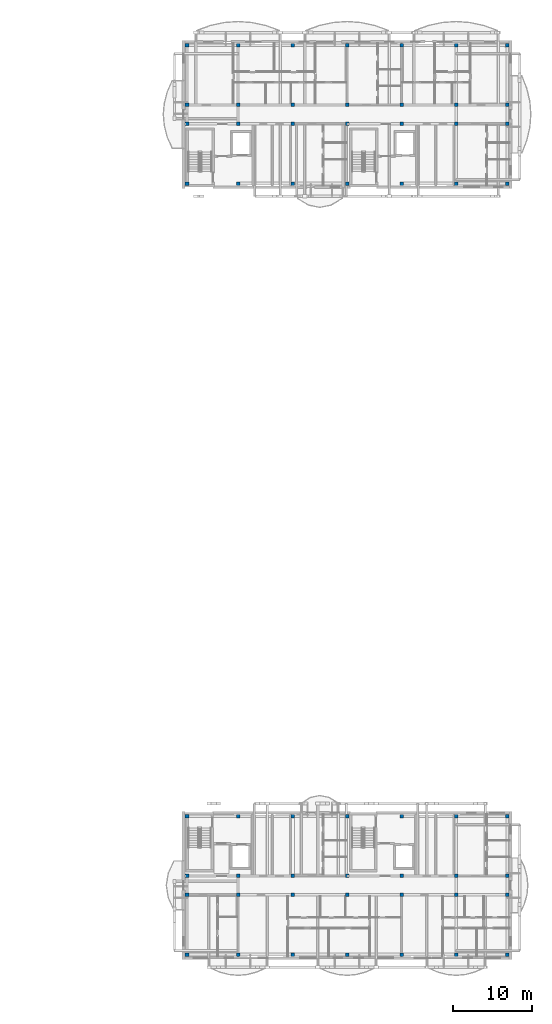
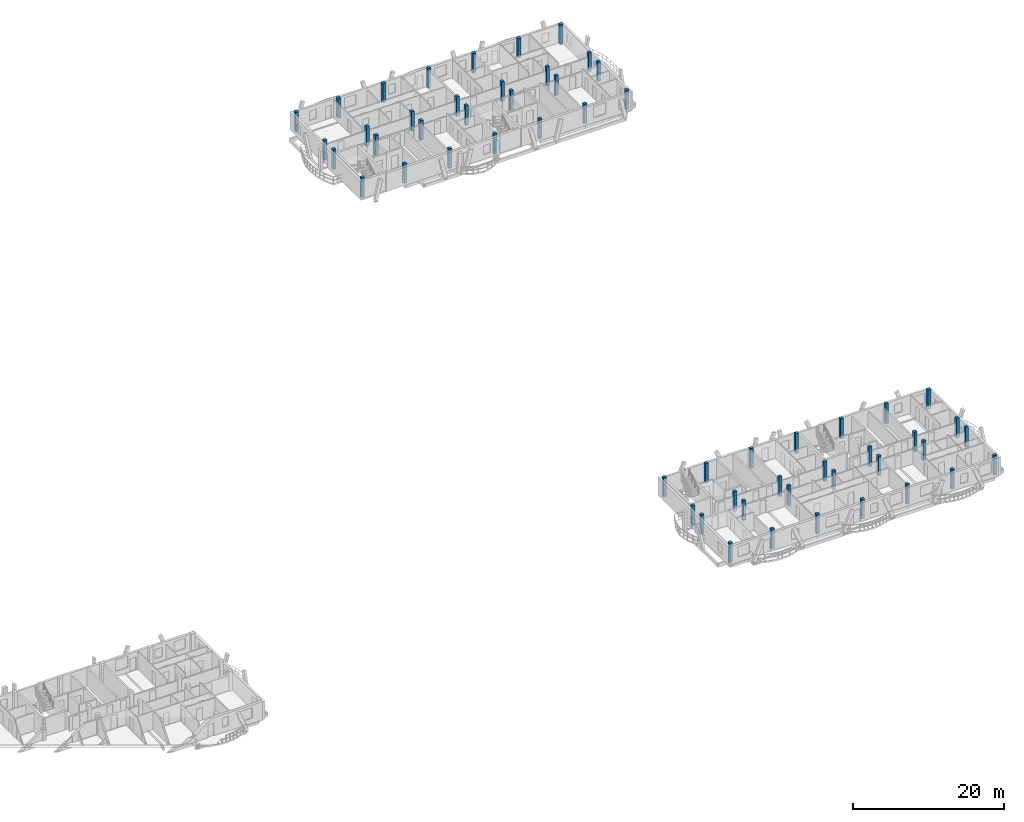
# One storey, part 2 of 42: 56 columns.
"""IFC4 building model written with IfcOpenShell, lengths in metres."""

import ifcopenshell
import ifcopenshell.guid

model = None  # the IFC model being written
_history = None  # IfcOwnerHistory: only IFC2X3 demands one
_inside = {}  # id of a spatial element -> (the spatial element, [elements in it])
_under = {}  # id of a project, library or spatial element -> (it, [spatial elements below it])
_declared = {}  # id of a project -> (the project, [libraries it declares])
_typed = {}  # id of a type object -> (the type object, [elements of that type])
_made_of = {}  # id of a material, layer set ... -> (it, [elements and type objects made of it])


def new_model(schema):
    """Start an empty IFC model of exactly this schema.

    Asked for "IFC4X3", IfcOpenShell would pick the latest addendum, in which some entities
    have other attributes; the version numbers below select the first issue.
    IFC2X3 requires an IfcOwnerHistory on every rooted entity: one is made here for all.
    """
    global model, _history
    if schema == "IFC4X3":
        model = ifcopenshell.file(schema_version=(4, 3, 0, 0))
    else:
        model = ifcopenshell.file(schema=schema)
    _inside.clear()
    _under.clear()
    _declared.clear()
    _typed.clear()
    _made_of.clear()
    _history = None
    if model.schema == "IFC2X3":
        org = make("IfcOrganization", Name="unknown")
        user = make(
            "IfcPersonAndOrganization",
            ThePerson=make("IfcPerson", FamilyName="unknown"),
            TheOrganization=org,
        )
        app = make(
            "IfcApplication",
            ApplicationDeveloper=org,
            Version="unknown",
            ApplicationFullName="unknown",
            ApplicationIdentifier="unknown",
        )
        _history = make(
            "IfcOwnerHistory",
            OwningUser=user,
            OwningApplication=app,
            ChangeAction="ADDED",
            CreationDate=0,
        )
    return model


def make(cls, **values):
    """One entity of the class cls with the attributes given. An attribute that is None is left unset."""
    return model.create_entity(
        cls, **{name: value for name, value in values.items() if value is not None}
    )


def rooted(cls, **values):
    """An entity with a GlobalId (a new one), such as an element, a storey or a relation."""
    return make(cls, GlobalId=ifcopenshell.guid.new(), OwnerHistory=_history, **values)


def si_unit(unit_type, name, prefix=None):
    """IfcSIUnit, for example si_unit("LENGTHUNIT", "METRE", prefix="MILLI")."""
    return make("IfcSIUnit", UnitType=unit_type, Prefix=prefix, Name=name)


def assignment(units):
    """IfcUnitAssignment: the units of a project."""
    return None if units is None else make("IfcUnitAssignment", Units=units)


def point(xyz):
    """IfcCartesianPoint."""
    return None if xyz is None else make("IfcCartesianPoint", Coordinates=xyz)


def direction(xyz):
    """IfcDirection."""
    return None if xyz is None else make("IfcDirection", DirectionRatios=xyz)


def frame(location, z_axis=None, x_axis=None):
    """IfcAxis2Placement3D, a coordinate frame: its origin and axes. An axis left out is left unset."""
    return make(
        "IfcAxis2Placement3D",
        Location=point(location),
        Axis=direction(z_axis),
        RefDirection=direction(x_axis),
    )


def frame_2d(location, x_axis=None):
    """IfcAxis2Placement2D, a coordinate frame in the plane: its origin and x axis."""
    return make(
        "IfcAxis2Placement2D", Location=point(location), RefDirection=direction(x_axis)
    )


def origin():
    """The frame at (0, 0, 0) with its axes left unset."""
    return frame((0.0, 0.0, 0.0))


def origin_2d():
    """The frame at (0, 0) in the plane with its x axis left unset."""
    return frame_2d((0.0, 0.0))


def place(relative_to, where):
    """IfcLocalPlacement: puts the frame where relative to a parent placement (None: the world)."""
    return make(
        "IfcLocalPlacement", PlacementRelTo=relative_to, RelativePlacement=where
    )


def context(
    kind, dimensions, precision=None, world=None, true_north=None, identifier=None
):
    """IfcGeometricRepresentationContext, for example the 3D "Model" context."""
    return make(
        "IfcGeometricRepresentationContext",
        ContextIdentifier=identifier,
        ContextType=kind,
        CoordinateSpaceDimension=dimensions,
        Precision=precision,
        WorldCoordinateSystem=world,
        TrueNorth=true_north,
    )


def subcontext(parent, identifier, kind, view, scale=None):
    """IfcGeometricRepresentationSubContext, for example "Body" below "Model"."""
    return make(
        "IfcGeometricRepresentationSubContext",
        ContextIdentifier=identifier,
        ContextType=kind,
        ParentContext=parent,
        TargetScale=scale,
        TargetView=view,
    )


def project(units=None, contexts=None):
    """IfcProject with its units and contexts."""
    return rooted(
        "IfcProject",
        Name="project",
        RepresentationContexts=contexts,
        UnitsInContext=assignment(units),
    )


def spatial(cls, under=None, at=None, **own):
    """A site, building, storey or space (cls), placed at a placement, below another one or the project."""
    s = rooted(cls, ObjectPlacement=at, **own)
    if under is not None:
        _under.setdefault(under.id(), (under, []))[1].append(s)
    return s


def profile(cls, at=None, kind="AREA", **sizes):
    """A parametric profile (cls). Its sizes go by their IFC names, for example OverallWidth=200.0."""
    return make(cls, ProfileType=kind, Position=at, **sizes)


def rectangle(**sizes):
    """IfcRectangleProfileDef."""
    return profile("IfcRectangleProfileDef", **sizes)


def extrude(swept, where, along, depth):
    """IfcExtrudedAreaSolid: the profile swept, set in the frame where, extruded along a direction by depth."""
    return make(
        "IfcExtrudedAreaSolid",
        SweptArea=swept,
        Position=where,
        ExtrudedDirection=direction(along),
        Depth=depth,
    )


def shape(context_of_items, identifier, shape_type, items):
    """IfcShapeRepresentation: the items that make up one representation, for example the "Body"."""
    return make(
        "IfcShapeRepresentation",
        ContextOfItems=context_of_items,
        RepresentationIdentifier=identifier,
        RepresentationType=shape_type,
        Items=items,
    )


def material(Name=None, Category=None):
    """IfcMaterial."""
    return make("IfcMaterial", Name=Name, Category=Category)


def material_profile(
    of_material, cross_section, Name=None, Category=None, Priority=None
):
    """IfcMaterialProfile: a cross section and its material."""
    return make(
        "IfcMaterialProfile",
        Name=Name,
        Material=of_material,
        Profile=cross_section,
        Priority=Priority,
        Category=Category,
    )


def profile_set(profiles, Name=None, composite=None):
    """IfcMaterialProfileSet."""
    return make(
        "IfcMaterialProfileSet",
        Name=Name,
        MaterialProfiles=profiles,
        CompositeProfile=composite,
    )


def made_of(thing, what):
    """Note that an element or type object is made of a material, layer set ...; save() writes the relation."""
    if what is not None:
        _made_of.setdefault(what.id(), (what, []))[1].append(thing)
    return thing


def type_object(cls, material=None, **own):
    """A type object (cls), such as IfcWallType, which elements share."""
    return made_of(rooted(cls, **own), material)


def element(
    cls,
    number,
    at=None,
    inside=None,
    cuts=None,
    type_object=None,
    material=None,
    context=None,
    identifier="Body",
    shape_type=None,
    held_by="IfcProductDefinitionShape",
    body=None,
    shapes=None,
    **own,
):
    """One element of the class cls, such as IfcWall. Its Tag is "e" and its number.

    at: its placement. inside: the storey or other place that contains it. cuts: it is an
    opening in that element (IfcRelVoidsElement). A single representation is given by context,
    identifier, shape_type and body (its items); several are given by shapes. held_by: the class
    of the entity that holds the representations. save() writes the other relations.
    """
    e = rooted(cls, Tag="e%d" % number, ObjectPlacement=at, **own)
    if body is not None:
        shapes = [shape(context, identifier, shape_type, body)]
    if shapes is not None:
        e.Representation = make(held_by, Representations=shapes)
    if inside is not None:
        _inside.setdefault(inside.id(), (inside, []))[1].append(e)
    if cuts is not None:
        rooted(
            "IfcRelVoidsElement", RelatingBuildingElement=cuts, RelatedOpeningElement=e
        )
    if type_object is not None:
        _typed.setdefault(type_object.id(), (type_object, []))[1].append(e)
    return made_of(e, material)


def aggregate(whole, parts):
    """IfcRelAggregates: a whole, such as a stair, and the parts it consists of."""
    return rooted("IfcRelAggregates", RelatingObject=whole, RelatedObjects=parts)


def save(model, path):
    """Write the relations noted so far, then the file.

    IfcRelAggregates (storeys below a building ...), IfcRelContainedInSpatialStructure (elements
    in a storey), IfcRelDefinesByType, IfcRelAssociatesMaterial and IfcRelDeclares: one each for
    every whole, place, type object, material and project.
    """
    for whole, parts in _under.values():
        aggregate(whole, parts)
    for where, things in _inside.values():
        rooted(
            "IfcRelContainedInSpatialStructure",
            RelatedElements=things,
            RelatingStructure=where,
        )
    for kind, things in _typed.values():
        rooted("IfcRelDefinesByType", RelatedObjects=things, RelatingType=kind)
    for what, things in _made_of.values():
        rooted("IfcRelAssociatesMaterial", RelatedObjects=things, RelatingMaterial=what)
    for by, libraries in _declared.values():
        rooted("IfcRelDeclares", RelatingContext=by, RelatedDefinitions=libraries)
    model.write(path)


model = new_model("IFC4")

# Units and contexts
model_context = context("Model", 3, precision=1e-05, world=origin(), true_north=direction((0.0, 1.0)))
body_context = subcontext(model_context, "Body", "Model", "MODEL_VIEW")
ifc_project = project(units=[si_unit("LENGTHUNIT", "METRE"), si_unit("AREAUNIT", "SQUARE_METRE"), si_unit("VOLUMEUNIT", "CUBIC_METRE"), si_unit("PLANEANGLEUNIT", "RADIAN"), si_unit("MASSUNIT", "GRAM", prefix="KILO")], contexts=[model_context])

# Site, building, storey
site_placement = place(None, origin())
site = spatial("IfcSite", under=ifc_project, at=site_placement, CompositionType="ELEMENT")
building_placement = place(site_placement, origin())
building = spatial("IfcBuilding", under=site, at=building_placement, Name="Zavelmont Quarter", CompositionType="ELEMENT")
storey_placement = place(building_placement, frame((0.0, 0.0, 24.0)))
storey = spatial("IfcBuildingStorey", under=building, at=storey_placement, Name="L07", CompositionType="ELEMENT", Elevation=24.0)

# Columns
ifc_material = material(Name="Concrete C35/45", Category="concrete")
ifc_material_profile = material_profile(ifc_material, rectangle(XDim=0.449951171875, YDim=0.449951171875, at=origin_2d()), Name="RC450X450")
ifc_profile_set = profile_set([ifc_material_profile], Name="Concrete C35/45")
column_type = type_object("IfcColumnType", Name="CL04", PredefinedType="COLUMN", material=ifc_profile_set)
for number, where, z_axis, x_axis, name in (
    (1, (127.0400390625, 98.0400390625, 0.0), (0.0, 0.0, 1.0), (1.0, 0.0, 0.0), "L07 column CL04 at 19/P"),
    (2, (127.0400390625, 105.60009765625, 0.0), (0.0, 0.0, 1.0), (1.0, 0.0, 0.0), "L07 column CL04 at 19/Q"),
    (3, (127.0400390625, 108.0, 0.0), (0.0, 0.0, 1.0), (1.0, 0.0, 0.0), "L07 column CL04 at 19/R"),
    (4, (127.0400390625, 115.56005859375, 0.0), (0.0, 0.0, 1.0), (1.0, 0.0, 0.0), "L07 column CL04 at 19/S"),
    (5, (133.5, 98.0400390625, 0.0), (0.0, 0.0, 1.0), (1.0, 0.0, 0.0), "L07 column CL04 at 20/P"),
    (6, (133.5, 105.60009765625, 0.0), (0.0, 0.0, 1.0), (1.0, 0.0, 0.0), "L07 column CL04 at 20/Q"),
    (7, (133.5, 108.0, 0.0), (0.0, 0.0, 1.0), (1.0, 0.0, 0.0), "L07 column CL04 at 20/R"),
    (8, (133.5, 115.56005859375, 0.0), (0.0, 0.0, 1.0), (1.0, 0.0, 0.0), "L07 column CL04 at 20/S"),
    (9, (140.39990234375, 98.0400390625, 0.0), (0.0, 0.0, 1.0), (1.0, 0.0, 0.0), "L07 column CL04 at 21/P"),
    (10, (140.39990234375, 105.60009765625, 0.0), (0.0, 0.0, 1.0), (1.0, 0.0, 0.0), "L07 column CL04 at 21/Q"),
    (11, (140.39990234375, 108.0, 0.0), (0.0, 0.0, 1.0), (1.0, 0.0, 0.0), "L07 column CL04 at 21/R"),
    (12, (140.39990234375, 115.56005859375, 0.0), (0.0, 0.0, 1.0), (1.0, 0.0, 0.0), "L07 column CL04 at 21/S"),
    (13, (147.300048828125, 98.0400390625, 0.0), (0.0, 0.0, 1.0), (1.0, 0.0, 0.0), "L07 column CL04 at 22/P"),
    (14, (147.300048828125, 105.60009765625, 0.0), (0.0, 0.0, 1.0), (1.0, 0.0, 0.0), "L07 column CL04 at 22/Q"),
    (15, (147.300048828125, 108.0, 0.0), (0.0, 0.0, 1.0), (1.0, 0.0, 0.0), "L07 column CL04 at 22/R"),
    (16, (147.300048828125, 115.56005859375, 0.0), (0.0, 0.0, 1.0), (1.0, 0.0, 0.0), "L07 column CL04 at 22/S"),
    (17, (154.199951171875, 98.0400390625, 0.0), (0.0, 0.0, 1.0), (1.0, 0.0, 0.0), "L07 column CL04 at 23/P"),
    (18, (154.199951171875, 105.60009765625, 0.0), (0.0, 0.0, 1.0), (1.0, 0.0, 0.0), "L07 column CL04 at 23/Q"),
    (19, (154.199951171875, 108.0, 0.0), (0.0, 0.0, 1.0), (1.0, 0.0, 0.0), "L07 column CL04 at 23/R"),
    (20, (154.199951171875, 115.56005859375, 0.0), (0.0, 0.0, 1.0), (1.0, 0.0, 0.0), "L07 column CL04 at 23/S"),
    (21, (161.10009765625, 98.0400390625, 0.0), (0.0, 0.0, 1.0), (1.0, 0.0, 0.0), "L07 column CL04 at 24/P"),
    (22, (161.10009765625, 105.60009765625, 0.0), (0.0, 0.0, 1.0), (1.0, 0.0, 0.0), "L07 column CL04 at 24/Q"),
    (23, (161.10009765625, 108.0, 0.0), (0.0, 0.0, 1.0), (1.0, 0.0, 0.0), "L07 column CL04 at 24/R"),
    (24, (161.10009765625, 115.56005859375, 0.0), (0.0, 0.0, 1.0), (1.0, 0.0, 0.0), "L07 column CL04 at 24/S"),
    (25, (167.56005859375, 98.0400390625, 0.0), (0.0, 0.0, 1.0), (1.0, 0.0, 0.0), "L07 column CL04 at 25/P"),
    (26, (167.56005859375, 105.60009765625, 0.0), (0.0, 0.0, 1.0), (1.0, 0.0, 0.0), "L07 column CL04 at 25/Q"),
    (27, (167.56005859375, 108.0, 0.0), (0.0, 0.0, 1.0), (1.0, 0.0, 0.0), "L07 column CL04 at 25/R"),
    (28, (167.56005859375, 115.56005859375, 0.0), (0.0, 0.0, 1.0), (1.0, 0.0, 0.0), "L07 column CL04 at 25/S"),
    (29, (127.0400390625, 0.43994140625, 0.0), (0.0, 0.0, 1.0), (1.0, 0.0, 0.0), "L07 column CL04 at 19/A"),
    (30, (127.0400390625, 8.0, 0.0), (0.0, 0.0, 1.0), (1.0, 0.0, 0.0), "L07 column CL04 at 19/B"),
    (31, (127.0400390625, 10.39990234375, 0.0), (0.0, 0.0, 1.0), (1.0, 0.0, 0.0), "L07 column CL04 at 19/C"),
    (32, (127.0400390625, 17.9599609375, 0.0), (0.0, 0.0, 1.0), (1.0, 0.0, 0.0), "L07 column CL04 at 19/D"),
    (33, (133.5, 0.43994140625, 0.0), (0.0, 0.0, 1.0), (1.0, 0.0, 0.0), "L07 column CL04 at 20/A"),
    (34, (133.5, 8.0, 0.0), (0.0, 0.0, 1.0), (1.0, 0.0, 0.0), "L07 column CL04 at 20/B"),
    (35, (133.5, 10.39990234375, 0.0), (0.0, 0.0, 1.0), (1.0, 0.0, 0.0), "L07 column CL04 at 20/C"),
    (36, (133.5, 17.9599609375, 0.0), (0.0, 0.0, 1.0), (1.0, 0.0, 0.0), "L07 column CL04 at 20/D"),
    (37, (140.39990234375, 0.43994140625, 0.0), (0.0, 0.0, 1.0), (1.0, 0.0, 0.0), "L07 column CL04 at 21/A"),
    (38, (140.39990234375, 8.0, 0.0), (0.0, 0.0, 1.0), (1.0, 0.0, 0.0), "L07 column CL04 at 21/B"),
    (39, (140.39990234375, 10.39990234375, 0.0), (0.0, 0.0, 1.0), (1.0, 0.0, 0.0), "L07 column CL04 at 21/C"),
    (40, (140.39990234375, 17.9599609375, 0.0), (0.0, 0.0, 1.0), (1.0, 0.0, 0.0), "L07 column CL04 at 21/D"),
    (41, (147.300048828125, 0.43994140625, 0.0), (0.0, 0.0, 1.0), (1.0, 0.0, 0.0), "L07 column CL04 at 22/A"),
    (42, (147.300048828125, 8.0, 0.0), (0.0, 0.0, 1.0), (1.0, 0.0, 0.0), "L07 column CL04 at 22/B"),
    (43, (147.300048828125, 10.39990234375, 0.0), (0.0, 0.0, 1.0), (1.0, 0.0, 0.0), "L07 column CL04 at 22/C"),
    (44, (147.300048828125, 17.9599609375, 0.0), (0.0, 0.0, 1.0), (1.0, 0.0, 0.0), "L07 column CL04 at 22/D"),
    (45, (154.199951171875, 0.43994140625, 0.0), (0.0, 0.0, 1.0), (1.0, 0.0, 0.0), "L07 column CL04 at 23/A"),
    (46, (154.199951171875, 8.0, 0.0), (0.0, 0.0, 1.0), (1.0, 0.0, 0.0), "L07 column CL04 at 23/B"),
    (47, (154.199951171875, 10.39990234375, 0.0), (0.0, 0.0, 1.0), (1.0, 0.0, 0.0), "L07 column CL04 at 23/C"),
    (48, (154.199951171875, 17.9599609375, 0.0), (0.0, 0.0, 1.0), (1.0, 0.0, 0.0), "L07 column CL04 at 23/D"),
    (49, (161.10009765625, 0.43994140625, 0.0), (0.0, 0.0, 1.0), (1.0, 0.0, 0.0), "L07 column CL04 at 24/A"),
    (50, (161.10009765625, 8.0, 0.0), (0.0, 0.0, 1.0), (1.0, 0.0, 0.0), "L07 column CL04 at 24/B"),
    (51, (161.10009765625, 10.39990234375, 0.0), (0.0, 0.0, 1.0), (1.0, 0.0, 0.0), "L07 column CL04 at 24/C"),
    (52, (161.10009765625, 17.9599609375, 0.0), (0.0, 0.0, 1.0), (1.0, 0.0, 0.0), "L07 column CL04 at 24/D"),
    (53, (167.56005859375, 0.43994140625, 0.0), (0.0, 0.0, 1.0), (1.0, 0.0, 0.0), "L07 column CL04 at 25/A"),
    (54, (167.56005859375, 8.0, 0.0), (0.0, 0.0, 1.0), (1.0, 0.0, 0.0), "L07 column CL04 at 25/B"),
    (55, (167.56005859375, 10.39990234375, 0.0), (0.0, 0.0, 1.0), (1.0, 0.0, 0.0), "L07 column CL04 at 25/C"),
    (56, (167.56005859375, 17.9599609375, 0.0), (0.0, 0.0, 1.0), (1.0, 0.0, 0.0), "L07 column CL04 at 25/D"),
):
    element("IfcColumn", number, at=place(storey_placement, frame(where, z_axis=z_axis, x_axis=x_axis)), inside=storey, type_object=column_type, Name=name, PredefinedType="COLUMN", context=body_context, shape_type="SweptSolid", body=[
        extrude(rectangle(XDim=0.449951171875, YDim=0.449951171875, at=origin_2d()), origin(), (0.0, 0.0, 1.0), 3.199951171875),
    ])

save(model, "model.ifc")
